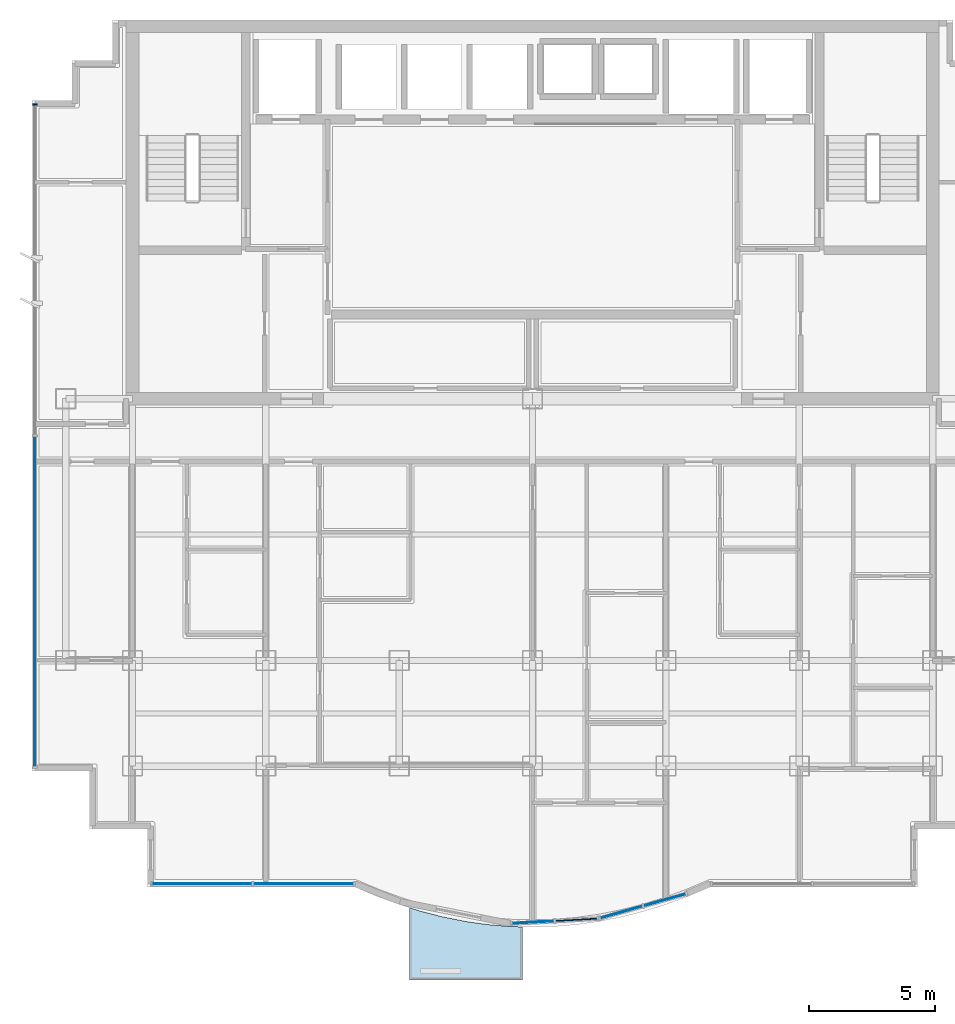
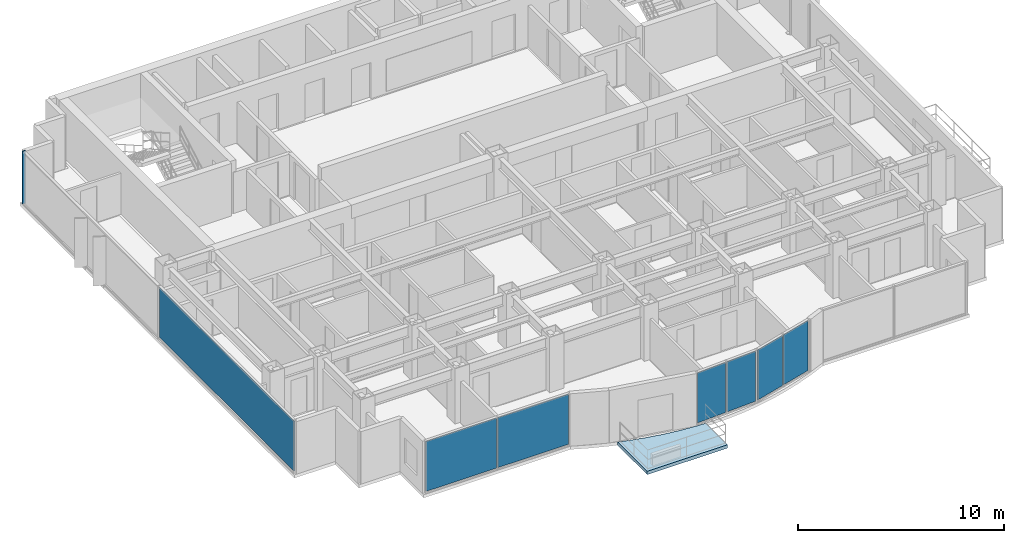
# One storey, part 5 of 11: 7 plates, 1 member, 1 slab, 4 elements without a shape of their own.
"""IFC4 building model written with IfcOpenShell, lengths in metres."""

from ifc_helpers import new_model, si_unit, direction, frame, origin, origin_2d, place, context, subcontext, project, spatial, polyline, rectangle, outline, extrude, source, transform, mapped, material, layer, layer_set, material_profile, profile_set, type_object, element, aggregate, save


model = new_model("IFC4")

# Units and contexts
model_context = context("Model", 3, precision=1e-05, world=origin(), true_north=direction((0.0, 1.0)))
body_context = subcontext(model_context, "Body", "Model", "MODEL_VIEW")
ifc_project = project(units=[si_unit("LENGTHUNIT", "METRE"), si_unit("AREAUNIT", "SQUARE_METRE"), si_unit("VOLUMEUNIT", "CUBIC_METRE"), si_unit("PLANEANGLEUNIT", "RADIAN"), si_unit("MASSUNIT", "GRAM", prefix="KILO")], contexts=[model_context])

# Site, building, storey
site_placement = place(None, origin())
site = spatial("IfcSite", under=ifc_project, at=site_placement, CompositionType="ELEMENT")
building_placement = place(site_placement, origin())
building = spatial("IfcBuilding", under=site, at=building_placement, Name="Qianlan Lanfeng Residences", CompositionType="ELEMENT")
storey_placement = place(building_placement, frame((0.0, 0.0, 203.300048828125)))
storey = spatial("IfcBuildingStorey", under=building, at=storey_placement, Name="L55", CompositionType="ELEMENT", Elevation=203.300048828125)

# Curtain wall, member
ifc_material_1 = material(Name="Anodised Bronze Aluminium 6063-T6", Category="aluminium")
ifc_layer_1 = layer(ifc_material_1, 0.219970703125)
ifc_layer_set_1 = layer_set([ifc_layer_1], Name="Anodised Bronze Aluminium 6063-T6")
curtain_wall_type = type_object("IfcCurtainWallType", Name="CW-05", PredefinedType="NOTDEFINED", material=ifc_layer_set_1)
curtain_wall_1_placement = place(storey_placement, origin())
curtain_wall_1 = element("IfcCurtainWall", 1, at=curtain_wall_1_placement, inside=storey, type_object=curtain_wall_type, Name="L55 Unitised Curtain Wall CWR-L55-05 (CW-05)", PredefinedType="NOTDEFINED")
ifc_material_profile = material_profile(ifc_material_1, rectangle(XDim=0.074951171875, YDim=0.179931640625, at=origin_2d()), Name="ALU MULLION 75x180")
ifc_profile_set = profile_set([ifc_material_profile], Name="Anodised Bronze Aluminium 6063-T6")
member_type = type_object("IfcMemberType", Name="CWM-180", PredefinedType="MULLION", material=ifc_profile_set)
shared_shape_1 = source(origin(), body_context, "Body", "SweptSolid", [
    extrude(rectangle(XDim=0.074951171875, YDim=0.179931640625, at=origin_2d()), origin(), (0.0, 0.0, 1.0), 3.10986328125),
])
member_placement = place(storey_placement, frame((6.719970703125, 36.892578125, 0.0), z_axis=(0.0, 0.0, 1.0), x_axis=(0.0, -1.0, 0.0)))
member = element("IfcMember", 2, at=member_placement, type_object=member_type, Name="CWR-L55-05 Mullion 1", PredefinedType="MULLION", context=body_context, shape_type="MappedRepresentation", body=[
    mapped(shared_shape_1, transform((0.0, 0.0, 0.0), scale=1.0)),
])

# Slab
ifc_material_2 = material(Name="Concrete C42", Category="concrete")
ifc_layer_2 = layer(ifc_material_2, 0.199951171875)
ifc_layer_set_2 = layer_set([ifc_layer_2], Name="Concrete C42")
slab_type = type_object("IfcSlabType", Name="S-BAL-200", PredefinedType="FLOOR", material=ifc_layer_set_2)
slab_placement = place(storey_placement, frame((0.0, 0.0, -0.199951171875)))
element("IfcSlab", 3, at=slab_placement, inside=storey, type_object=slab_type, Name="L55 Planted Tree Balcony Slab SB-C", PredefinedType="FLOOR", context=body_context, shape_type="SweptSolid", body=[
    extrude(outline(polyline([(26.10009765625, 4.2109375), (25.614990234375, 4.22509765625), (24.72998046875, 4.300048828125), (23.844970703125, 4.425048828125), (22.9599609375, 4.60009765625), (22.074951171875, 4.824951171875), (21.60009765625, 4.972900390625), (21.60009765625, 2.10009765625), (26.10009765625, 2.10009765625), (26.10009765625, 4.2109375)])), origin(), (0.0, 0.0, 1.0), 0.199951171875),
])

# Curtain wall, plates
curtain_wall_2_placement = place(storey_placement, origin())
curtain_wall_2 = element("IfcCurtainWall", 4, at=curtain_wall_2_placement, inside=storey, type_object=curtain_wall_type, Name="L55 Unitised Curtain Wall CWR-L55-01 (CW-05)", PredefinedType="NOTDEFINED")
ifc_material_3 = material(Name="Dark Bronze Tinted Insulated Glass", Category="glass")
ifc_layer_3 = layer(ifc_material_3, 0.0380859375)
ifc_layer_set_3 = layer_set([ifc_layer_3], Name="Dark Bronze Tinted Insulated Glass")
plate_type_1 = type_object("IfcPlateType", Name="PNL-GLZ-BRZ", PredefinedType="CURTAIN_PANEL", material=ifc_layer_set_3)
shared_shape_2 = source(origin(), body_context, "Body", "SweptSolid", [
    extrude(rectangle(XDim=3.951416015625, YDim=0.0380859375, at=origin_2d()), origin(), (0.0, 0.0, 1.0), 2.9619140625),
])
plate_1_placement = place(storey_placement, frame((13.36962890625, 5.919921875, 0.073974609375), z_axis=(0.0, 0.0, 1.0), x_axis=(1.0, 0.0, 0.0)))
plate_1 = element("IfcPlate", 5, at=plate_1_placement, type_object=plate_type_1, Name="CWR-L55-01 Curtain Panel 1", PredefinedType="CURTAIN_PANEL", context=body_context, shape_type="MappedRepresentation", body=[
    mapped(shared_shape_2, transform((0.0, 0.0, 0.0), scale=1.0)),
])
plate_2_placement = place(storey_placement, frame((17.394287109375, 5.919921875, 0.073974609375), z_axis=(0.0, 0.0, 1.0), x_axis=(1.0, 0.0, 0.0)))
plate_2 = element("IfcPlate", 6, at=plate_2_placement, type_object=plate_type_1, Name="CWR-L55-01 Curtain Panel 2", PredefinedType="CURTAIN_PANEL", context=body_context, shape_type="MappedRepresentation", body=[
    mapped(shared_shape_2, transform((0.0, 0.0, 0.0), scale=1.0)),
])
aggregate(curtain_wall_2, [plate_1, plate_2])

# Plate
shared_shape_3 = source(origin(), body_context, "Body", "SweptSolid", [
    extrude(rectangle(XDim=13.094482421875, YDim=0.0380859375, at=origin_2d()), origin(), (0.0, 0.0, 1.0), 2.9619140625),
])
plate_3_placement = place(storey_placement, frame((6.719970703125, 17.14111328125, 0.073974609375), z_axis=(0.0, 0.0, 1.0), x_axis=(0.0, -1.0, 0.0)))
plate_3 = element("IfcPlate", 7, at=plate_3_placement, type_object=plate_type_1, Name="CWR-L55-05 Curtain Panel 2", PredefinedType="CURTAIN_PANEL", context=body_context, shape_type="MappedRepresentation", body=[
    mapped(shared_shape_3, transform((0.0, 0.0, 0.0), scale=1.0)),
])

aggregate(curtain_wall_1, [member, plate_3])

# Curtain wall, plates
curtain_wall_3_placement = place(storey_placement, origin())
curtain_wall_3 = element("IfcCurtainWall", 8, at=curtain_wall_3_placement, inside=storey, type_object=curtain_wall_type, Name="L55 Unitised Curtain Wall CWR-L55-02 (CW-05)", PredefinedType="NOTDEFINED")
shared_shape_4 = source(origin(), body_context, "Body", "SweptSolid", [
    extrude(rectangle(XDim=1.648681640625, YDim=0.0380859375, at=origin_2d()), origin(), (0.0, 0.0, 1.0), 2.9619140625),
])
plate_4_placement = place(storey_placement, frame((26.51904296875, 4.3955078125, 0.073974609375), z_axis=(0.0, 0.0, 1.0), x_axis=(0.998415428603, 0.056272834713, 0.0)))
plate_4 = element("IfcPlate", 9, at=plate_4_placement, type_object=plate_type_1, Name="CWR-L55-02 Curtain Panel 1", PredefinedType="CURTAIN_PANEL", context=body_context, shape_type="MappedRepresentation", body=[
    mapped(shared_shape_4, transform((0.0, 0.0, 0.0), scale=1.0)),
])
ifc_material_4 = material(Name="Perforated Anodised Bronze Aluminium Panel", Category="aluminium")
ifc_layer_4 = layer(ifc_material_4, 0.0419921875)
ifc_layer_set_4 = layer_set([ifc_layer_4], Name="Perforated Anodised Bronze Aluminium Panel")
plate_type_2 = type_object("IfcPlateType", Name="PNL-PRF-BRZ", PredefinedType="CURTAIN_PANEL", material=ifc_layer_set_4)
shared_shape_5 = source(origin(), body_context, "Body", "SweptSolid", [
    extrude(rectangle(XDim=1.648681640625, YDim=0.0419921875, at=origin_2d()), origin(), (0.0, 0.0, 1.0), 2.9619140625),
])
plate_5_placement = place(storey_placement, frame((28.238037109375, 4.492431640625, 0.073974609375), z_axis=(0.0, 0.0, 1.0), x_axis=(0.998415428603, 0.056272834713, 0.0)))
plate_5 = element("IfcPlate", 10, at=plate_5_placement, type_object=plate_type_2, Name="CWR-L55-02 Curtain Panel 2", PredefinedType="CURTAIN_PANEL", context=body_context, shape_type="MappedRepresentation", body=[
    mapped(shared_shape_5, transform((0.0, 0.0, 0.0), scale=1.0)),
])
aggregate(curtain_wall_3, [plate_4, plate_5])

curtain_wall_4_placement = place(storey_placement, origin())
curtain_wall_4 = element("IfcCurtainWall", 11, at=curtain_wall_4_placement, inside=storey, type_object=curtain_wall_type, Name="L55 Unitised Curtain Wall CWR-L55-03 (CW-05)", PredefinedType="NOTDEFINED")
shared_shape_6 = source(origin(), body_context, "Body", "SweptSolid", [
    extrude(rectangle(XDim=1.71630859375, YDim=0.0380859375, at=origin_2d()), origin(), (0.0, 0.0, 1.0), 2.9619140625),
])
plate_6_placement = place(storey_placement, frame((30.031982421875, 4.796630859375, 0.073974609375), z_axis=(0.0, 0.0, 1.0), x_axis=(0.962284495419, 0.272045124705, 0.0)))
plate_6 = element("IfcPlate", 12, at=plate_6_placement, type_object=plate_type_1, Name="CWR-L55-03 Curtain Panel 1", PredefinedType="CURTAIN_PANEL", context=body_context, shape_type="MappedRepresentation", body=[
    mapped(shared_shape_6, transform((0.0, 0.0, 0.0), scale=1.0)),
])
plate_7_placement = place(storey_placement, frame((31.75390625, 5.283447265625, 0.073974609375), z_axis=(0.0, 0.0, 1.0), x_axis=(0.962284495419, 0.272045124705, 0.0)))
plate_7 = element("IfcPlate", 13, at=plate_7_placement, type_object=plate_type_1, Name="CWR-L55-03 Curtain Panel 2", PredefinedType="CURTAIN_PANEL", context=body_context, shape_type="MappedRepresentation", body=[
    mapped(shared_shape_6, transform((0.0, 0.0, 0.0), scale=1.0)),
])
aggregate(curtain_wall_4, [plate_6, plate_7])

save(model, "model.ifc")
